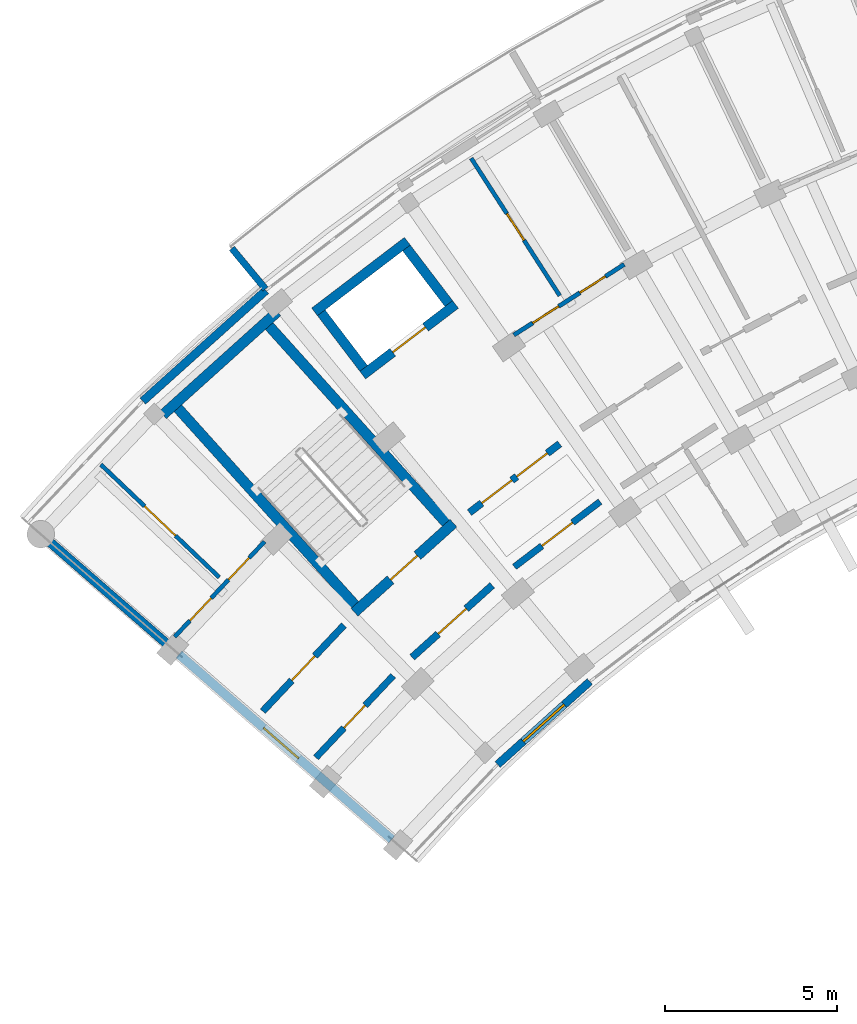
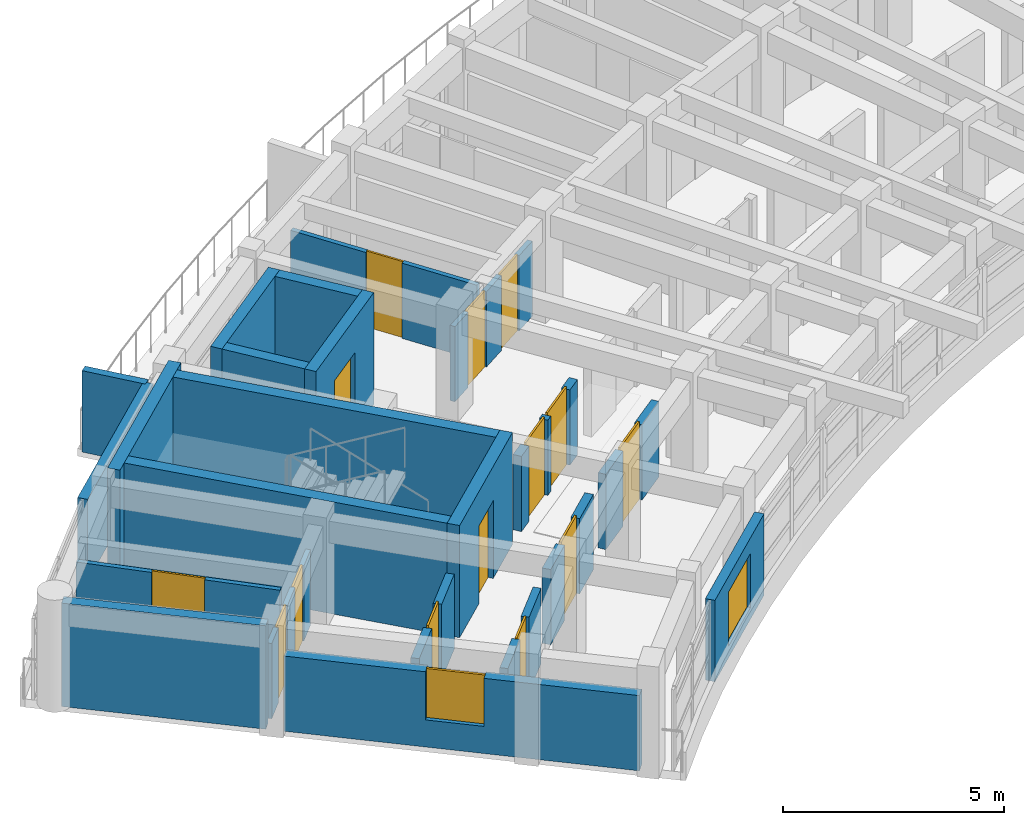
# One storey, part 28 of 55: 22 walls, 14 doors, 2 windows, 16 openings.
"""IFC4 building model written with IfcOpenShell, lengths in metres."""

from ifc_helpers import new_model, si_unit, direction, frame, frame_2d, origin, place, context, subcontext, project, spatial, rectangle, extrude, material, layer, layer_set, type_object, element, fill, save


model = new_model("IFC4")

# Units and contexts
model_context = context("Model", 3, precision=1e-05, world=origin(), true_north=direction((0.0, 1.0)))
body_context = subcontext(model_context, "Body", "Model", "MODEL_VIEW")
ifc_project = project(units=[si_unit("LENGTHUNIT", "METRE"), si_unit("AREAUNIT", "SQUARE_METRE"), si_unit("VOLUMEUNIT", "CUBIC_METRE"), si_unit("PLANEANGLEUNIT", "RADIAN"), si_unit("MASSUNIT", "GRAM", prefix="KILO")], contexts=[model_context])

# Site, building, storey
site_placement = place(None, origin())
site = spatial("IfcSite", under=ifc_project, at=site_placement, CompositionType="ELEMENT")
building_placement = place(site_placement, origin())
building = spatial("IfcBuilding", under=site, at=building_placement, Name="Zimvara Arc Housing Community", CompositionType="ELEMENT")
storey_placement = place(building_placement, frame((0.0, 0.0, 14.300048828125)))
storey = spatial("IfcBuildingStorey", under=building, at=storey_placement, Name="L04", CompositionType="ELEMENT", Elevation=14.300048828125)

# Wall, opening, window
ifc_material_1 = material(Name="Board-Marked Fair-Faced Concrete C35/45", Category="concrete")
ifc_layer_1 = layer(ifc_material_1, 0.22998046875)
ifc_layer_set_1 = layer_set([ifc_layer_1], Name="Board-Marked Fair-Faced Concrete C35/45")
wall_type_1 = type_object("IfcWallType", Name="EWL-CONC-230", PredefinedType="SOLIDWALL", material=ifc_layer_set_1)
wall_1_placement = place(storey_placement, frame((13.84033203125, 76.436767578125, 0.0), z_axis=(0.0, 0.0, 1.0), x_axis=(0.743385092197, 0.668863666751, 0.0)))
wall_1 = element("IfcWall", 1, at=wall_1_placement, inside=storey, type_object=wall_type_1, Name="ewall:blkA:L04:in:b1", PredefinedType="SOLIDWALL", context=body_context, shape_type="SweptSolid", body=[
    extrude(rectangle(XDim=3.603759765625, YDim=0.22998046875, at=frame_2d((1.8017578125, 0.0))), origin(), (0.0, 0.0, 1.0), 2.25),
])
opening_1_placement = place(wall_1_placement, frame((1.001708984375, 0.0, 0.320068359375)))
opening_1 = element("IfcOpeningElement", 2, at=opening_1_placement, cuts=wall_1, Name="Opening W03", PredefinedType="OPENING", context=body_context, shape_type="SweptSolid", body=[
    extrude(rectangle(XDim=1.60009765625, YDim=1.5, at=frame_2d((0.800048828125, 0.75))), frame((0.0, 0.125, 0.0), z_axis=(0.0, -1.0, 0.0), x_axis=(1.0, 0.0, 0.0)), (0.0, 0.0, 1.0), 0.25),
])
ifc_material_2 = material(Name="Solar Control Low-E Double Glazing", Category="glass")
window_type_1 = type_object("IfcWindowType", Name="WIN-RES-1600x1500", PartitioningType="DOUBLE_PANEL_VERTICAL", PredefinedType="WINDOW", material=ifc_material_2)
window_1_placement = place(opening_1_placement, origin())
window_1 = element("IfcWindow", 3, at=window_1_placement, inside=storey, type_object=window_type_1, Name="win:blkA:L04:in:b1", OverallHeight=1.5, OverallWidth=1.60009765625, PartitioningType="DOUBLE_PANEL_VERTICAL", PredefinedType="WINDOW", context=body_context, shape_type="SweptSolid", body=[
    extrude(rectangle(XDim=1.60009765625, YDim=1.5, at=frame_2d((0.800048828125, 0.75))), frame((0.0, 0.030029296875, 0.0), z_axis=(0.0, -1.0, 0.0), x_axis=(1.0, 0.0, 0.0)), (0.0, 0.0, 1.0), 0.06005859375),
])
fill(opening_1, window_1)

ifc_material_3 = material(Name="Board-Marked Fair-Faced Concrete C35/45", Category="concrete")
ifc_layer_2 = layer(ifc_material_3, 0.264892578125)
ifc_layer_set_2 = layer_set([ifc_layer_2], Name="Board-Marked Fair-Faced Concrete C35/45")
wall_type_2 = type_object("IfcWallType", Name="EWL-CONC-265", PredefinedType="SOLIDWALL", material=ifc_layer_set_2)
wall_2_placement = place(storey_placement, frame((10.766357421875, 74.2587890625, 0.0), z_axis=(0.0, 0.0, 1.0), x_axis=(-0.754717680958, 0.656049710044, 0.0)))
wall_2 = element("IfcWall", 4, at=wall_2_placement, inside=storey, type_object=wall_type_2, Name="ewall:blkA:L04:g0", PredefinedType="SOLIDWALL", context=body_context, shape_type="SweptSolid", body=[
    extrude(rectangle(XDim=8.199951171875, YDim=0.264892578125, at=frame_2d((4.10009765625, 0.0))), origin(), (0.0, 0.0, 1.0), 2.079833984375),
])
opening_2_placement = place(wall_2_placement, frame((3.590087890625, 0.0, 0.75)))
opening_2 = element("IfcOpeningElement", 5, at=opening_2_placement, cuts=wall_2, Name="Opening W12", PredefinedType="OPENING", context=body_context, shape_type="SweptSolid", body=[
    extrude(rectangle(XDim=1.35009765625, YDim=1.35009765625, at=frame_2d((0.675048828125, 0.675048828125))), frame((0.0, 0.142333984375, 0.0), z_axis=(0.0, -1.0, 0.0), x_axis=(1.0, 0.0, 0.0)), (0.0, 0.0, 1.0), 0.284912109375),
])
ifc_material_4 = material(Name="Solar Control Low-E Double Glazing", Category="glass")
window_type_2 = type_object("IfcWindowType", Name="WIN-RES-1350x1350", PartitioningType="DOUBLE_PANEL_VERTICAL", PredefinedType="WINDOW", material=ifc_material_4)
window_2_placement = place(opening_2_placement, origin())
window_2 = element("IfcWindow", 6, at=window_2_placement, inside=storey, type_object=window_type_2, Name="win:blkA:L04:g0:w", OverallHeight=1.35009765625, OverallWidth=1.35009765625, PartitioningType="DOUBLE_PANEL_VERTICAL", PredefinedType="WINDOW", context=body_context, shape_type="SweptSolid", body=[
    extrude(rectangle(XDim=1.35009765625, YDim=1.35009765625, at=frame_2d((0.675048828125, 0.675048828125))), frame((0.0, 0.030029296875, 0.0), z_axis=(0.0, -1.0, 0.0), x_axis=(1.0, 0.0, 0.0)), (0.0, 0.0, 1.0), 0.06005859375),
])
fill(opening_2, window_2)

# Walls
ifc_material_5 = material(Name="Board-Marked Fair-Faced Concrete C35/45", Category="concrete")
ifc_layer_3 = layer(ifc_material_5, 0.195068359375)
ifc_layer_set_3 = layer_set([ifc_layer_3], Name="Board-Marked Fair-Faced Concrete C35/45")
wall_type_3 = type_object("IfcWallType", Name="EWL-PARA-195", PredefinedType="PARAPET", material=ifc_layer_set_3)
wall_3_placement = place(storey_placement, frame((7.09228515625, 90.25732421875, 0.0), z_axis=(0.0, 0.0, 1.0), x_axis=(-0.637952984874, 0.770075313908, 0.0)))
element("IfcWall", 7, at=wall_3_placement, inside=storey, type_object=wall_type_3, Name="finwall:blkA:L04:out:b2", PredefinedType="PARAPET", context=body_context, shape_type="SweptSolid", body=[
    extrude(rectangle(XDim=1.530029296875, YDim=0.195068359375, at=frame_2d((0.76513671875, 0.0))), origin(), (0.0, 0.0, 1.0), 2.25),
])
ifc_material_6 = material(Name="Board-Marked Fair-Faced Concrete C35/45", Category="concrete")
ifc_layer_4 = layer(ifc_material_6, 0.241943359375)
ifc_layer_set_4 = layer_set([ifc_layer_4], Name="Board-Marked Fair-Faced Concrete C35/45")
wall_type_4 = type_object("IfcWallType", Name="EWL-VAR-16", PredefinedType="SOLIDWALL", material=ifc_layer_set_4)
wall_4_placement = place(storey_placement, frame((3.528076171875, 86.996826171875, 0.0), z_axis=(0.0, 0.0, 1.0), x_axis=(0.743387539862, 0.668860946369, 0.0)))
element("IfcWall", 8, at=wall_4_placement, inside=storey, type_object=wall_type_4, Name="ewall:blkA:L04:out:b1", PredefinedType="SOLIDWALL", context=body_context, shape_type="SweptSolid", body=[
    extrude(rectangle(XDim=4.80908203125, YDim=0.241943359375, at=frame_2d((2.404541015625, 0.0))), origin(), (0.0, 0.0, 1.0), 2.25),
])

# Wall, opening, door
ifc_material_7 = material(Name="Concrete C35/45", Category="concrete")
ifc_layer_5 = layer(ifc_material_7, 0.2099609375)
ifc_layer_set_5 = layer_set([ifc_layer_5], Name="Concrete C35/45")
wall_type_5 = type_object("IfcWallType", Name="IWL-CCF-210", PredefinedType="SOLIDWALL", material=ifc_layer_set_5)
wall_5_placement = place(storey_placement, frame((11.357177734375, 79.5517578125, 0.0), z_axis=(0.0, 0.0, 1.0), x_axis=(0.743387266925, 0.668861249718, 0.0)))
wall_5 = element("IfcWall", 9, at=wall_5_placement, inside=storey, type_object=wall_type_5, Name="iwall:blkA:L04:ccf_div:b1", PredefinedType="SOLIDWALL", context=body_context, shape_type="SweptSolid", body=[
    extrude(rectangle(XDim=3.12841796875, YDim=0.2099609375, at=frame_2d((1.564208984375, 0.0))), origin(), (0.0, 0.0, 1.0), 2.079833984375),
])
opening_3_placement = place(wall_5_placement, frame((1.014404296875, 0.0, 0.0)))
opening_3 = element("IfcOpeningElement", 10, at=opening_3_placement, cuts=wall_5, Name="Opening FD-CCF1", PredefinedType="OPENING", context=body_context, shape_type="SweptSolid", body=[
    extrude(rectangle(XDim=1.10009765625, YDim=2.14990234375, at=frame_2d((0.550048828125, 1.074951171875))), frame((0.0, 0.114990234375, 0.0), z_axis=(0.0, -1.0, 0.0), x_axis=(1.0, 0.0, 0.0)), (0.0, 0.0, 1.0), 0.22998046875),
])
ifc_material_8 = material(Name="Anodised Aluminium AW-6063", Category="aluminium")
door_type_1 = type_object("IfcDoorType", Name="IDR-CCF-1100x2150", OperationType="NOTDEFINED", PredefinedType="DOOR", material=ifc_material_8)
door_1_placement = place(opening_3_placement, origin())
door_1 = element("IfcDoor", 11, at=door_1_placement, inside=storey, type_object=door_type_1, Name="idoor:blkA:L04:ccf_in:b1", OperationType="SINGLE_SWING_LEFT", OverallHeight=2.14990234375, OverallWidth=1.10009765625, PredefinedType="DOOR", context=body_context, shape_type="SweptSolid", body=[
    extrude(rectangle(XDim=1.10009765625, YDim=2.14990234375, at=frame_2d((0.550048828125, 1.074951171875))), frame((0.0, 0.02490234375, 0.0), z_axis=(0.0, -1.0, 0.0), x_axis=(1.0, 0.0, 0.0)), (0.0, 0.0, 1.0), 0.050048828125),
])
fill(opening_3, door_1)

# Wall, openings, doors
wall_6_placement = place(storey_placement, frame((13.021240234375, 83.758544921875, 0.0), z_axis=(0.0, 0.0, 1.0), x_axis=(0.795498026433, 0.605956178235, 0.0)))
wall_6 = element("IfcWall", 12, at=wall_6_placement, inside=storey, type_object=wall_type_5, Name="iwall:blkA:L04:ll_div:b2", PredefinedType="SOLIDWALL", context=body_context, shape_type="SweptSolid", body=[
    extrude(rectangle(XDim=3.296142578125, YDim=0.2099609375, at=frame_2d((1.64794921875, 0.0))), origin(), (0.0, 0.0, 1.0), 2.079833984375),
])
opening_4_placement = place(wall_6_placement, frame((0.449951171875, 0.0, 0.0)))
opening_4 = element("IfcOpeningElement", 13, at=opening_4_placement, cuts=wall_6, Name="Opening FD-CCF1", PredefinedType="OPENING", context=body_context, shape_type="SweptSolid", body=[
    extrude(rectangle(XDim=1.10009765625, YDim=2.14990234375, at=frame_2d((0.550048828125, 1.074951171875))), frame((0.0, 0.114990234375, 0.0), z_axis=(0.0, -1.0, 0.0), x_axis=(1.0, 0.0, 0.0)), (0.0, 0.0, 1.0), 0.22998046875),
])
opening_5_placement = place(wall_6_placement, frame((1.72607421875, 0.0, 0.0)))
opening_5 = element("IfcOpeningElement", 14, at=opening_5_placement, cuts=wall_6, Name="Opening D07", PredefinedType="OPENING", context=body_context, shape_type="SweptSolid", body=[
    extrude(rectangle(XDim=1.1201171875, YDim=2.14990234375, at=frame_2d((0.56005859375, 1.074951171875))), frame((0.0, 0.114990234375, 0.0), z_axis=(0.0, -1.0, 0.0), x_axis=(1.0, 0.0, 0.0)), (0.0, 0.0, 1.0), 0.22998046875),
])
ifc_material_9 = material(Name="Mozambican Hardwood", Category="wood")
door_type_2 = type_object("IfcDoorType", Name="IDR-AMN-1120x2150", OperationType="NOTDEFINED", PredefinedType="DOOR", material=ifc_material_9)
door_2_placement = place(opening_5_placement, origin())
door_2 = element("IfcDoor", 15, at=door_2_placement, inside=storey, type_object=door_type_2, Name="idoor:blkA:L04:rs_in:b2", OperationType="SINGLE_SWING_LEFT", OverallHeight=2.14990234375, OverallWidth=1.1201171875, PredefinedType="DOOR", context=body_context, shape_type="SweptSolid", body=[
    extrude(rectangle(XDim=1.1201171875, YDim=2.14990234375, at=frame_2d((0.56005859375, 1.074951171875))), frame((0.0, 0.02490234375, 0.0), z_axis=(0.0, -1.0, 0.0), x_axis=(1.0, 0.0, 0.0)), (0.0, 0.0, 1.0), 0.050048828125),
])
fill(opening_5, door_2)
door_3_placement = place(opening_4_placement, origin())
door_3 = element("IfcDoor", 16, at=door_3_placement, inside=storey, type_object=door_type_1, Name="idoor:blkA:L04:ll_in:b2", OperationType="SINGLE_SWING_RIGHT", OverallHeight=2.14990234375, OverallWidth=1.10009765625, PredefinedType="DOOR", context=body_context, shape_type="SweptSolid", body=[
    extrude(rectangle(XDim=1.10009765625, YDim=2.14990234375, at=frame_2d((0.550048828125, 1.074951171875))), frame((0.0, 0.02490234375, 0.0), z_axis=(0.0, -1.0, 0.0), x_axis=(1.0, 0.0, 0.0)), (0.0, 0.0, 1.0), 0.050048828125),
])
fill(opening_4, door_3)

# Wall, opening, door
ifc_material_10 = material(Name="Concrete C35/45", Category="concrete")
ifc_layer_6 = layer(ifc_material_10, 0.18994140625)
ifc_layer_set_6 = layer_set([ifc_layer_6], Name="Concrete C35/45")
wall_type_6 = type_object("IfcWallType", Name="IWL-CORR-190", PredefinedType="SOLIDWALL", material=ifc_layer_set_6)
wall_7_placement = place(storey_placement, frame((8.561279296875, 76.638916015625, 0.0), z_axis=(0.0, 0.0, 1.0), x_axis=(0.686307658735, 0.727311348434, 0.0)))
wall_7 = element("IfcWall", 17, at=wall_7_placement, inside=storey, type_object=wall_type_6, Name="iwall:blkA:L04:corr_in:b0", PredefinedType="SOLIDWALL", context=body_context, shape_type="SweptSolid", body=[
    extrude(rectangle(XDim=3.268798828125, YDim=0.18994140625, at=frame_2d((1.63427734375, 0.0))), origin(), (0.0, 0.0, 1.0), 2.079833984375),
])
opening_6_placement = place(wall_7_placement, frame((1.184326171875, 0.0, 0.0)))
opening_6 = element("IfcOpeningElement", 18, at=opening_6_placement, cuts=wall_7, Name="Opening D01", PredefinedType="OPENING", context=body_context, shape_type="SweptSolid", body=[
    extrude(rectangle(XDim=0.89990234375, YDim=2.10009765625, at=frame_2d((0.449951171875, 1.050048828125))), frame((0.0, 0.10498046875, 0.0), z_axis=(0.0, -1.0, 0.0), x_axis=(1.0, 0.0, 0.0)), (0.0, 0.0, 1.0), 0.2099609375),
])
ifc_material_11 = material(Name="Mozambican Hardwood", Category="wood")
door_type_3 = type_object("IfcDoorType", Name="IDR-RM-0900x2100", OperationType="NOTDEFINED", PredefinedType="DOOR", material=ifc_material_11)
door_4_placement = place(opening_6_placement, origin())
door_4 = element("IfcDoor", 19, at=door_4_placement, inside=storey, type_object=door_type_3, Name="idoor:blkA:L04:in_rm:b0", OperationType="SINGLE_SWING_LEFT", OverallHeight=2.10009765625, OverallWidth=0.89990234375, PredefinedType="DOOR", context=body_context, shape_type="SweptSolid", body=[
    extrude(rectangle(XDim=0.89990234375, YDim=2.10009765625, at=frame_2d((0.449951171875, 1.050048828125))), frame((0.0, 0.02490234375, 0.0), z_axis=(0.0, -1.0, 0.0), x_axis=(1.0, 0.0, 0.0)), (0.0, 0.0, 1.0), 0.050048828125),
])
fill(opening_6, door_4)

wall_8_placement = place(storey_placement, frame((14.3291015625, 82.179931640625, 0.0), z_axis=(0.0, 0.0, 1.0), x_axis=(0.795501577908, 0.605951515838, 0.0)))
wall_8 = element("IfcWall", 20, at=wall_8_placement, inside=storey, type_object=wall_type_6, Name="iwall:blkA:L04:ra_div:b2", PredefinedType="SOLIDWALL", context=body_context, shape_type="SweptSolid", body=[
    extrude(rectangle(XDim=3.128662109375, YDim=0.18994140625, at=frame_2d((1.564453125, 0.0))), origin(), (0.0, 0.0, 1.0), 2.079833984375),
])
opening_7_placement = place(wall_8_placement, frame((1.00439453125, 0.0, 0.0)))
opening_7 = element("IfcOpeningElement", 21, at=opening_7_placement, cuts=wall_8, Name="Opening D07", PredefinedType="OPENING", context=body_context, shape_type="SweptSolid", body=[
    extrude(rectangle(XDim=1.1201171875, YDim=2.14990234375, at=frame_2d((0.56005859375, 1.074951171875))), frame((0.0, 0.10498046875, 0.0), z_axis=(0.0, -1.0, 0.0), x_axis=(1.0, 0.0, 0.0)), (0.0, 0.0, 1.0), 0.2099609375),
])
door_5_placement = place(opening_7_placement, origin())
door_5 = element("IfcDoor", 22, at=door_5_placement, inside=storey, type_object=door_type_2, Name="idoor:blkA:L04:ra_d:b2", OperationType="SINGLE_SWING_RIGHT", OverallHeight=2.14990234375, OverallWidth=1.1201171875, PredefinedType="DOOR", context=body_context, shape_type="SweptSolid", body=[
    extrude(rectangle(XDim=1.1201171875, YDim=2.14990234375, at=frame_2d((0.56005859375, 1.074951171875))), frame((0.0, 0.02490234375, 0.0), z_axis=(0.0, -1.0, 0.0), x_axis=(1.0, 0.0, 0.0)), (0.0, 0.0, 1.0), 0.050048828125),
])
fill(opening_7, door_5)

ifc_material_12 = material(Name="Concrete C35/45", Category="concrete")
ifc_layer_7 = layer(ifc_material_12, 0.199951171875)
ifc_layer_set_7 = layer_set([ifc_layer_7], Name="Concrete C35/45")
wall_type_7 = type_object("IfcWallType", Name="IWL-CORR-200", PredefinedType="SOLIDWALL", material=ifc_layer_set_7)
wall_9_placement = place(storey_placement, frame((7.01416015625, 77.98388671875, 0.0), z_axis=(0.0, 0.0, 1.0), x_axis=(0.686310507227, 0.727308660522, 0.0)))
wall_9 = element("IfcWall", 23, at=wall_9_placement, inside=storey, type_object=wall_type_7, Name="iwall:blkA:L04:corr_out:b0", PredefinedType="SOLIDWALL", context=body_context, shape_type="SweptSolid", body=[
    extrude(rectangle(XDim=3.43603515625, YDim=0.199951171875, at=frame_2d((1.718017578125, 0.0))), origin(), (0.0, 0.0, 1.0), 2.079833984375),
])
opening_8_placement = place(wall_9_placement, frame((1.22802734375, 0.0, 0.0)))
opening_8 = element("IfcOpeningElement", 24, at=opening_8_placement, cuts=wall_9, Name="Opening FD-FL1", PredefinedType="OPENING", context=body_context, shape_type="SweptSolid", body=[
    extrude(rectangle(XDim=0.97998046875, YDim=2.14990234375, at=frame_2d((0.489990234375, 1.074951171875))), frame((0.0, 0.10986328125, 0.0), z_axis=(0.0, -1.0, 0.0), x_axis=(1.0, 0.0, 0.0)), (0.0, 0.0, 1.0), 0.219970703125),
])
ifc_material_13 = material(Name="Mozambican Hardwood", Category="wood")
door_type_4 = type_object("IfcDoorType", Name="IDR-FLAT-0980x2150", OperationType="NOTDEFINED", PredefinedType="DOOR", material=ifc_material_13)
door_6_placement = place(opening_8_placement, origin())
door_6 = element("IfcDoor", 25, at=door_6_placement, inside=storey, type_object=door_type_4, Name="idoor:blkA:L04:flat:b0", OperationType="SINGLE_SWING_RIGHT", OverallHeight=2.14990234375, OverallWidth=0.97998046875, PredefinedType="DOOR", context=body_context, shape_type="SweptSolid", body=[
    extrude(rectangle(XDim=0.97998046875, YDim=2.14990234375, at=frame_2d((0.489990234375, 1.074951171875))), frame((0.0, 0.02490234375, 0.0), z_axis=(0.0, -1.0, 0.0), x_axis=(1.0, 0.0, 0.0)), (0.0, 0.0, 1.0), 0.050048828125),
])
fill(opening_8, door_6)

# Wall, openings, doors
ifc_material_14 = material(Name="Painted Acoustic Plasterboard")
ifc_layer_8 = layer(ifc_material_14, 0.1201171875)
ifc_layer_set_8 = layer_set([ifc_layer_8], Name="Painted Acoustic Plasterboard")
wall_type_8 = type_object("IfcWallType", Name="IWL-PART-120", PredefinedType="PARTITIONING", material=ifc_layer_set_8)
wall_10_placement = place(storey_placement, frame((4.45166015625, 80.145263671875, 0.0), z_axis=(0.0, 0.0, 1.0), x_axis=(0.686301674417, 0.727316995327, 0.0)))
wall_10 = element("IfcWall", 26, at=wall_10_placement, inside=storey, type_object=wall_type_8, Name="iwall:blkA:L04:srv:b0", PredefinedType="PARTITIONING", context=body_context, shape_type="SweptSolid", body=[
    extrude(rectangle(XDim=3.8095703125, YDim=0.1201171875, at=frame_2d((1.90478515625, 0.0))), origin(), (0.0, 0.0, 1.0), 2.079833984375),
])
opening_9_placement = place(wall_10_placement, frame((0.64990234375, 0.0, 0.0)))
opening_9 = element("IfcOpeningElement", 27, at=opening_9_placement, cuts=wall_10, Name="Opening D01", PredefinedType="OPENING", context=body_context, shape_type="SweptSolid", body=[
    extrude(rectangle(XDim=0.89990234375, YDim=2.10009765625, at=frame_2d((0.449951171875, 1.050048828125))), frame((0.0, 0.070068359375, 0.0), z_axis=(0.0, -1.0, 0.0), x_axis=(1.0, 0.0, 0.0)), (0.0, 0.0, 1.0), 0.14013671875),
])
opening_10_placement = place(wall_10_placement, frame((2.279541015625, 0.0, 0.0)))
opening_10 = element("IfcOpeningElement", 28, at=opening_10_placement, cuts=wall_10, Name="Opening D05", PredefinedType="OPENING", context=body_context, shape_type="SweptSolid", body=[
    extrude(rectangle(XDim=0.8798828125, YDim=2.10009765625, at=frame_2d((0.43994140625, 1.050048828125))), frame((0.0, 0.070068359375, 0.0), z_axis=(0.0, -1.0, 0.0), x_axis=(1.0, 0.0, 0.0)), (0.0, 0.0, 1.0), 0.14013671875),
])
door_7_placement = place(opening_9_placement, origin())
door_7 = element("IfcDoor", 29, at=door_7_placement, inside=storey, type_object=door_type_3, Name="idoor:blkA:L04:kit_liv:b0", OperationType="SINGLE_SWING_RIGHT", OverallHeight=2.10009765625, OverallWidth=0.89990234375, PredefinedType="DOOR", context=body_context, shape_type="SweptSolid", body=[
    extrude(rectangle(XDim=0.89990234375, YDim=2.10009765625, at=frame_2d((0.449951171875, 1.050048828125))), frame((0.0, 0.02490234375, 0.0), z_axis=(0.0, -1.0, 0.0), x_axis=(1.0, 0.0, 0.0)), (0.0, 0.0, 1.0), 0.050048828125),
])
fill(opening_9, door_7)
ifc_material_15 = material(Name="Mozambican Hardwood", Category="wood")
door_type_5 = type_object("IfcDoorType", Name="IDR-WC-0880x2100", OperationType="NOTDEFINED", PredefinedType="DOOR", material=ifc_material_15)
door_8_placement = place(opening_10_placement, origin())
door_8 = element("IfcDoor", 30, at=door_8_placement, inside=storey, type_object=door_type_5, Name="idoor:blkA:L04:bath_d:b0", OperationType="SINGLE_SWING_LEFT", OverallHeight=2.10009765625, OverallWidth=0.8798828125, PredefinedType="DOOR", context=body_context, shape_type="SweptSolid", body=[
    extrude(rectangle(XDim=0.8798828125, YDim=2.10009765625, at=frame_2d((0.43994140625, 1.050048828125))), frame((0.0, 0.02490234375, 0.0), z_axis=(0.0, -1.0, 0.0), x_axis=(1.0, 0.0, 0.0)), (0.0, 0.0, 1.0), 0.050048828125),
])
fill(opening_10, door_8)

# Wall, opening, door
wall_11_placement = place(storey_placement, frame((5.749267578125, 81.876708984375, 0.0), z_axis=(0.0, 0.0, 1.0), x_axis=(-0.724140375623, 0.689652605587, 0.0)))
wall_11 = element("IfcWall", 31, at=wall_11_placement, inside=storey, type_object=wall_type_8, Name="iwall:blkA:L04:bed_div:b0", PredefinedType="PARTITIONING", context=body_context, shape_type="SweptSolid", body=[
    extrude(rectangle(XDim=4.75, YDim=0.1201171875, at=frame_2d((2.375, 0.0))), origin(), (0.0, 0.0, 1.0), 2.079833984375),
])
opening_11_placement = place(wall_11_placement, frame((1.7548828125, 0.0, 0.0)))
opening_11 = element("IfcOpeningElement", 32, at=opening_11_placement, cuts=wall_11, Name="Opening D19", PredefinedType="OPENING", context=body_context, shape_type="SweptSolid", body=[
    extrude(rectangle(XDim=1.239990234375, YDim=2.10009765625, at=frame_2d((0.6201171875, 1.050048828125))), frame((0.0, 0.070068359375, 0.0), z_axis=(0.0, -1.0, 0.0), x_axis=(1.0, 0.0, 0.0)), (0.0, 0.0, 1.0), 0.14013671875),
])
ifc_material_16 = material(Name="Mozambican Hardwood", Category="wood")
door_type_6 = type_object("IfcDoorType", Name="IDR-MOD-1240x2180", OperationType="NOTDEFINED", PredefinedType="DOOR", material=ifc_material_16)
door_9_placement = place(opening_11_placement, origin())
door_9 = element("IfcDoor", 33, at=door_9_placement, inside=storey, type_object=door_type_6, Name="idoor:blkA:L04:bed_d:b0", OperationType="SINGLE_SWING_RIGHT", OverallHeight=2.10009765625, OverallWidth=1.239990234375, PredefinedType="DOOR", context=body_context, shape_type="SweptSolid", body=[
    extrude(rectangle(XDim=1.239990234375, YDim=2.10009765625, at=frame_2d((0.6201171875, 1.050048828125))), frame((0.0, 0.02490234375, 0.0), z_axis=(0.0, -1.0, 0.0), x_axis=(1.0, 0.0, 0.0)), (0.0, 0.0, 1.0), 0.050048828125),
])
fill(opening_11, door_9)

wall_12_placement = place(storey_placement, frame((15.64501953125, 90.0625, 0.0), z_axis=(0.0, 0.0, 1.0), x_axis=(-0.541596414291, 0.840638640574, 0.0)))
wall_12 = element("IfcWall", 34, at=wall_12_placement, inside=storey, type_object=wall_type_8, Name="iwall:blkA:L04:bed_div:b3", PredefinedType="PARTITIONING", context=body_context, shape_type="SweptSolid", body=[
    extrude(rectangle(XDim=4.749755859375, YDim=0.1201171875, at=frame_2d((2.375, 0.0))), origin(), (0.0, 0.0, 1.0), 2.079833984375),
])
opening_12_placement = place(wall_12_placement, frame((1.9150390625, 0.0, 0.0)))
opening_12 = element("IfcOpeningElement", 35, at=opening_12_placement, cuts=wall_12, Name="Opening D02", PredefinedType="OPENING", context=body_context, shape_type="SweptSolid", body=[
    extrude(rectangle(XDim=0.919921875, YDim=2.10009765625, at=frame_2d((0.4599609375, 1.050048828125))), frame((0.0, 0.070068359375, 0.0), z_axis=(0.0, -1.0, 0.0), x_axis=(1.0, 0.0, 0.0)), (0.0, 0.0, 1.0), 0.14013671875),
])
ifc_material_17 = material(Name="Mozambican Hardwood", Category="wood")
door_type_7 = type_object("IfcDoorType", Name="IDR-RM-0920x2100", OperationType="NOTDEFINED", PredefinedType="DOOR", material=ifc_material_17)
door_10_placement = place(opening_12_placement, origin())
door_10 = element("IfcDoor", 36, at=door_10_placement, inside=storey, type_object=door_type_7, Name="idoor:blkA:L04:bed_d:b3", OperationType="SINGLE_SWING_RIGHT", OverallHeight=2.10009765625, OverallWidth=0.919921875, PredefinedType="DOOR", context=body_context, shape_type="SweptSolid", body=[
    extrude(rectangle(XDim=0.919921875, YDim=2.10009765625, at=frame_2d((0.4599609375, 1.050048828125))), frame((0.0, 0.02490234375, 0.0), z_axis=(0.0, -1.0, 0.0), x_axis=(1.0, 0.0, 0.0)), (0.0, 0.0, 1.0), 0.050048828125),
])
fill(opening_12, door_10)

# Wall, openings, doors
ifc_material_18 = material(Name="Painted Acoustic Plasterboard")
ifc_layer_9 = layer(ifc_material_18, 0.125)
ifc_layer_set_9 = layer_set([ifc_layer_9], Name="Painted Acoustic Plasterboard")
wall_type_9 = type_object("IfcWallType", Name="IWL-PART-125", PredefinedType="PARTITIONING", material=ifc_layer_set_9)
wall_13_placement = place(storey_placement, frame((14.310546875, 88.91748046875, 0.0), z_axis=(0.0, 0.0, 1.0), x_axis=(0.842238809758, 0.53910461632, 0.0)))
wall_13 = element("IfcWall", 37, at=wall_13_placement, inside=storey, type_object=wall_type_9, Name="iwall:blkA:L04:srv:b3", PredefinedType="PARTITIONING", context=body_context, shape_type="SweptSolid", body=[
    extrude(rectangle(XDim=3.8095703125, YDim=0.125, at=frame_2d((1.90478515625, 0.0))), origin(), (0.0, 0.0, 1.0), 2.079833984375),
])
opening_13_placement = place(wall_13_placement, frame((0.64990234375, 0.0, 0.0)))
opening_13 = element("IfcOpeningElement", 38, at=opening_13_placement, cuts=wall_13, Name="Opening D01", PredefinedType="OPENING", context=body_context, shape_type="SweptSolid", body=[
    extrude(rectangle(XDim=0.89990234375, YDim=2.10009765625, at=frame_2d((0.449951171875, 1.050048828125))), frame((0.0, 0.072509765625, 0.0), z_axis=(0.0, -1.0, 0.0), x_axis=(1.0, 0.0, 0.0)), (0.0, 0.0, 1.0), 0.14501953125),
])
opening_14_placement = place(wall_13_placement, frame((2.279541015625, 0.0, 0.0)))
opening_14 = element("IfcOpeningElement", 39, at=opening_14_placement, cuts=wall_13, Name="Opening D05", PredefinedType="OPENING", context=body_context, shape_type="SweptSolid", body=[
    extrude(rectangle(XDim=0.8798828125, YDim=2.10009765625, at=frame_2d((0.43994140625, 1.050048828125))), frame((0.0, 0.072509765625, 0.0), z_axis=(0.0, -1.0, 0.0), x_axis=(1.0, 0.0, 0.0)), (0.0, 0.0, 1.0), 0.14501953125),
])
door_11_placement = place(opening_13_placement, origin())
door_11 = element("IfcDoor", 40, at=door_11_placement, inside=storey, type_object=door_type_3, Name="idoor:blkA:L04:kit_liv:b3", OperationType="SINGLE_SWING_RIGHT", OverallHeight=2.10009765625, OverallWidth=0.89990234375, PredefinedType="DOOR", context=body_context, shape_type="SweptSolid", body=[
    extrude(rectangle(XDim=0.89990234375, YDim=2.10009765625, at=frame_2d((0.449951171875, 1.050048828125))), frame((0.0, 0.02490234375, 0.0), z_axis=(0.0, -1.0, 0.0), x_axis=(1.0, 0.0, 0.0)), (0.0, 0.0, 1.0), 0.050048828125),
])
fill(opening_13, door_11)
door_12_placement = place(opening_14_placement, origin())
door_12 = element("IfcDoor", 41, at=door_12_placement, inside=storey, type_object=door_type_5, Name="idoor:blkA:L04:bath_d:b3", OperationType="SINGLE_SWING_LEFT", OverallHeight=2.10009765625, OverallWidth=0.8798828125, PredefinedType="DOOR", context=body_context, shape_type="SweptSolid", body=[
    extrude(rectangle(XDim=0.8798828125, YDim=2.10009765625, at=frame_2d((0.43994140625, 1.050048828125))), frame((0.0, 0.02490234375, 0.0), z_axis=(0.0, -1.0, 0.0), x_axis=(1.0, 0.0, 0.0)), (0.0, 0.0, 1.0), 0.050048828125),
])
fill(opening_14, door_12)

# Wall, opening, door
ifc_material_19 = material(Name="Concrete C40/50", Category="concrete")
ifc_layer_10 = layer(ifc_material_19, 0.280029296875)
ifc_layer_set_10 = layer_set([ifc_layer_10], Name="Concrete C40/50")
wall_type_10 = type_object("IfcWallType", Name="WL-CORE-280", PredefinedType="SHEAR", material=ifc_layer_set_10)
wall_14_placement = place(storey_placement, frame((12.615966796875, 89.80712890625, 0.0), z_axis=(0.0, 0.0, 1.0), x_axis=(-0.795474703455, -0.605986795371, 0.0)))
wall_14 = element("IfcWall", 42, at=wall_14_placement, inside=storey, type_object=wall_type_10, Name="lwall:LF-A1:L04:front", PredefinedType="SHEAR", context=body_context, shape_type="SweptSolid", body=[
    extrude(rectangle(XDim=3.389892578125, YDim=0.280029296875, at=frame_2d((1.69482421875, 0.0))), origin(), (0.0, 0.0, 1.0), 3.099853515625),
])
opening_15_placement = place(wall_14_placement, frame((1.094970703125, 0.0, 0.0)))
opening_15 = element("IfcOpeningElement", 43, at=opening_15_placement, cuts=wall_14, Name="Opening LD-LF-A1", PredefinedType="OPENING", context=body_context, shape_type="SweptSolid", body=[
    extrude(rectangle(XDim=1.199951171875, YDim=2.14990234375, at=frame_2d((0.60009765625, 1.074951171875))), frame((0.0, 0.14990234375, 0.0), z_axis=(0.0, -1.0, 0.0), x_axis=(1.0, 0.0, 0.0)), (0.0, 0.0, 1.0), 0.300048828125),
])
ifc_material_20 = material(Name="Anodised Aluminium AW-6063", Category="aluminium")
door_type_8 = type_object("IfcDoorType", Name="IDR-LD-1200x2150", OperationType="DOUBLE_DOOR_SLIDING", PredefinedType="DOOR", material=ifc_material_20)
door_13_placement = place(opening_15_placement, origin())
door_13 = element("IfcDoor", 44, at=door_13_placement, inside=storey, type_object=door_type_8, Name="Lift LF-A1 Sliding Landing Door L04", OperationType="DOUBLE_DOOR_SLIDING", OverallHeight=2.14990234375, OverallWidth=1.199951171875, PredefinedType="DOOR", context=body_context, shape_type="SweptSolid", body=[
    extrude(rectangle(XDim=1.199951171875, YDim=2.14990234375, at=frame_2d((0.60009765625, 1.074951171875))), frame((0.0, 0.02490234375, 0.0), z_axis=(0.0, -1.0, 0.0), x_axis=(1.0, 0.0, 0.0)), (0.0, 0.0, 1.0), 0.050048828125),
])
fill(opening_15, door_13)

# Walls
wall_15_placement = place(storey_placement, frame((11.216064453125, 91.644775390625, 0.0), z_axis=(0.0, 0.0, 1.0), x_axis=(-0.795439986025, -0.606032365994, 0.0)))
element("IfcWall", 45, at=wall_15_placement, inside=storey, type_object=wall_type_10, Name="lwall:LF-A1:L04:back", PredefinedType="SHEAR", context=body_context, shape_type="SweptSolid", body=[
    extrude(rectangle(XDim=3.389892578125, YDim=0.280029296875, at=frame_2d((1.69482421875, 0.0))), origin(), (0.0, 0.0, 1.0), 3.099853515625),
])
wall_16_placement = place(storey_placement, frame((12.419677734375, 89.833740234375, 0.0), z_axis=(0.0, 0.0, 1.0), x_axis=(-0.605948992168, 0.795503500238, 0.0)))
element("IfcWall", 46, at=wall_16_placement, inside=storey, type_object=wall_type_10, Name="lwall:LF-A1:L04:left", PredefinedType="SHEAR", context=body_context, shape_type="SweptSolid", body=[
    extrude(rectangle(XDim=2.02978515625, YDim=0.280029296875, at=frame_2d((1.014892578125, 0.0))), origin(), (0.0, 0.0, 1.0), 3.099853515625),
])
wall_17_placement = place(storey_placement, frame((9.94580078125, 87.948974609375, 0.0), z_axis=(0.0, 0.0, 1.0), x_axis=(-0.605891019062, 0.795547656033, 0.0)))
element("IfcWall", 47, at=wall_17_placement, inside=storey, type_object=wall_type_10, Name="lwall:LF-A1:L04:right", PredefinedType="SHEAR", context=body_context, shape_type="SweptSolid", body=[
    extrude(rectangle(XDim=2.030029296875, YDim=0.280029296875, at=frame_2d((1.01513671875, 0.0))), origin(), (0.0, 0.0, 1.0), 3.099853515625),
])

# Wall, opening, door
ifc_material_21 = material(Name="Concrete C40/50", Category="concrete")
ifc_layer_11 = layer(ifc_material_21, 0.300048828125)
ifc_layer_set_11 = layer_set([ifc_layer_11], Name="Concrete C40/50")
wall_type_11 = type_object("IfcWallType", Name="WL-CORE-300", PredefinedType="SHEAR", material=ifc_layer_set_11)
wall_18_placement = place(storey_placement, frame((12.556884765625, 83.4501953125, 0.0), z_axis=(0.0, 0.0, 1.0), x_axis=(-0.743375696158, -0.668874109501, 0.0)))
wall_18 = element("IfcWall", 48, at=wall_18_placement, inside=storey, type_object=wall_type_11, Name="cwall:ST-A1:L04:near", PredefinedType="SHEAR", context=body_context, shape_type="SweptSolid", body=[
    extrude(rectangle(XDim=3.8701171875, YDim=0.300048828125, at=frame_2d((1.93505859375, 0.0))), origin(), (0.0, 0.0, 1.0), 3.099853515625),
])
opening_16_placement = place(wall_18_placement, frame((1.409912109375, 0.0, 0.0)))
opening_16 = element("IfcOpeningElement", 49, at=opening_16_placement, cuts=wall_18, Name="Opening FD-ST2", PredefinedType="OPENING", context=body_context, shape_type="SweptSolid", body=[
    extrude(rectangle(XDim=1.050048828125, YDim=2.14990234375, at=frame_2d((0.52490234375, 1.074951171875))), frame((0.0, 0.159912109375, 0.0), z_axis=(0.0, -1.0, 0.0), x_axis=(1.0, 0.0, 0.0)), (0.0, 0.0, 1.0), 0.320068359375),
])
ifc_material_22 = material(Name="Anodised Aluminium AW-6063", Category="aluminium")
door_type_9 = type_object("IfcDoorType", Name="IDR-ST-1050x2150", OperationType="NOTDEFINED", PredefinedType="DOOR", material=ifc_material_22)
door_14_placement = place(opening_16_placement, origin())
door_14 = element("IfcDoor", 50, at=door_14_placement, inside=storey, type_object=door_type_9, Name="idoor:ST-A1:L04:entry", OperationType="SINGLE_SWING_RIGHT", OverallHeight=2.14990234375, OverallWidth=1.050048828125, PredefinedType="DOOR", context=body_context, shape_type="SweptSolid", body=[
    extrude(rectangle(XDim=1.050048828125, YDim=2.14990234375, at=frame_2d((0.52490234375, 1.074951171875))), frame((0.0, 0.02490234375, 0.0), z_axis=(0.0, -1.0, 0.0), x_axis=(1.0, 0.0, 0.0)), (0.0, 0.0, 1.0), 0.050048828125),
])
fill(opening_16, door_14)

# Walls
wall_19_placement = place(storey_placement, frame((7.435546875, 89.59033203125, 0.0), z_axis=(0.0, 0.0, 1.0), x_axis=(-0.743400052815, -0.668847038922, 0.0)))
element("IfcWall", 51, at=wall_19_placement, inside=storey, type_object=wall_type_11, Name="cwall:ST-A1:L04:far", PredefinedType="SHEAR", context=body_context, shape_type="SweptSolid", body=[
    extrude(rectangle(XDim=4.469970703125, YDim=0.300048828125, at=frame_2d((2.23486328125, 0.0))), origin(), (0.0, 0.0, 1.0), 3.099853515625),
])
wall_20_placement = place(storey_placement, frame((12.344970703125, 83.461181640625, 0.0), z_axis=(0.0, 0.0, 1.0), x_axis=(-0.668868253964, 0.743380964808, 0.0)))
element("IfcWall", 52, at=wall_20_placement, inside=storey, type_object=wall_type_11, Name="cwall:ST-A1:L04:left", PredefinedType="SHEAR", context=body_context, shape_type="SweptSolid", body=[
    extrude(rectangle(XDim=7.68994140625, YDim=0.300048828125, at=frame_2d((3.844970703125, 0.0))), origin(), (0.0, 0.0, 1.0), 3.099853515625),
])
wall_21_placement = place(storey_placement, frame((9.691162109375, 81.073486328125, 0.0), z_axis=(0.0, 0.0, 1.0), x_axis=(-0.668885797871, 0.743365179038, 0.0)))
element("IfcWall", 53, at=wall_21_placement, inside=storey, type_object=wall_type_11, Name="cwall:ST-A1:L04:right", PredefinedType="SHEAR", context=body_context, shape_type="SweptSolid", body=[
    extrude(rectangle(XDim=7.690185546875, YDim=0.300048828125, at=frame_2d((3.84521484375, 0.0))), origin(), (0.0, 0.0, 1.0), 3.099853515625),
])
ifc_material_23 = material(Name="Concrete C40/50", Category="concrete")
ifc_layer_12 = layer(ifc_material_23, 0.27001953125)
ifc_layer_set_12 = layer_set([ifc_layer_12], Name="Concrete C40/50")
wall_type_12 = type_object("IfcWallType", Name="WL-SHEAR-270", PredefinedType="SHEAR", material=ifc_layer_set_12)
wall_22_placement = place(storey_placement, frame((4.2607421875, 79.9140625, 0.0), z_axis=(0.0, 0.0, 1.0), x_axis=(-0.754703505217, 0.65606601742, 0.0)))
element("IfcWall", 54, at=wall_22_placement, inside=storey, type_object=wall_type_12, Name="swall:blkA:L04:west", PredefinedType="SHEAR", context=body_context, shape_type="SweptSolid", body=[
    extrude(rectangle(XDim=4.719970703125, YDim=0.27001953125, at=frame_2d((2.35986328125, 0.0))), origin(), (0.0, 0.0, 1.0), 2.85986328125),
])

save(model, "model.ifc")
